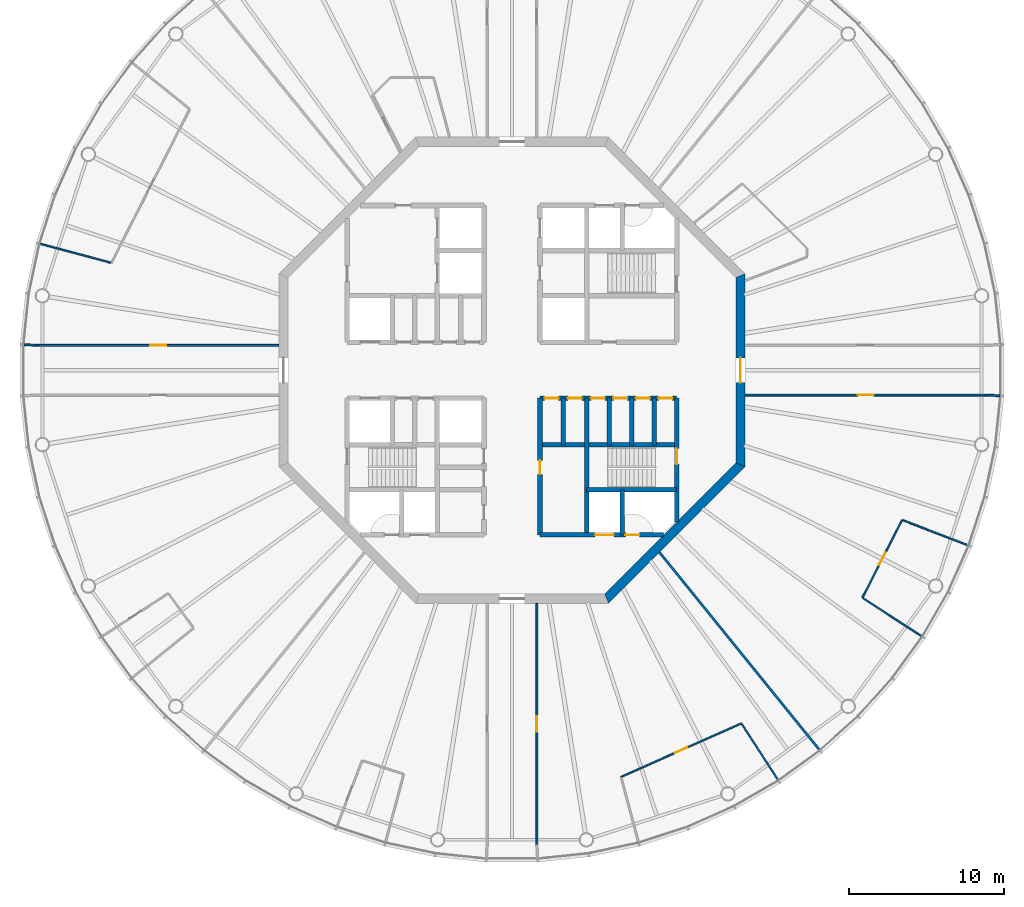
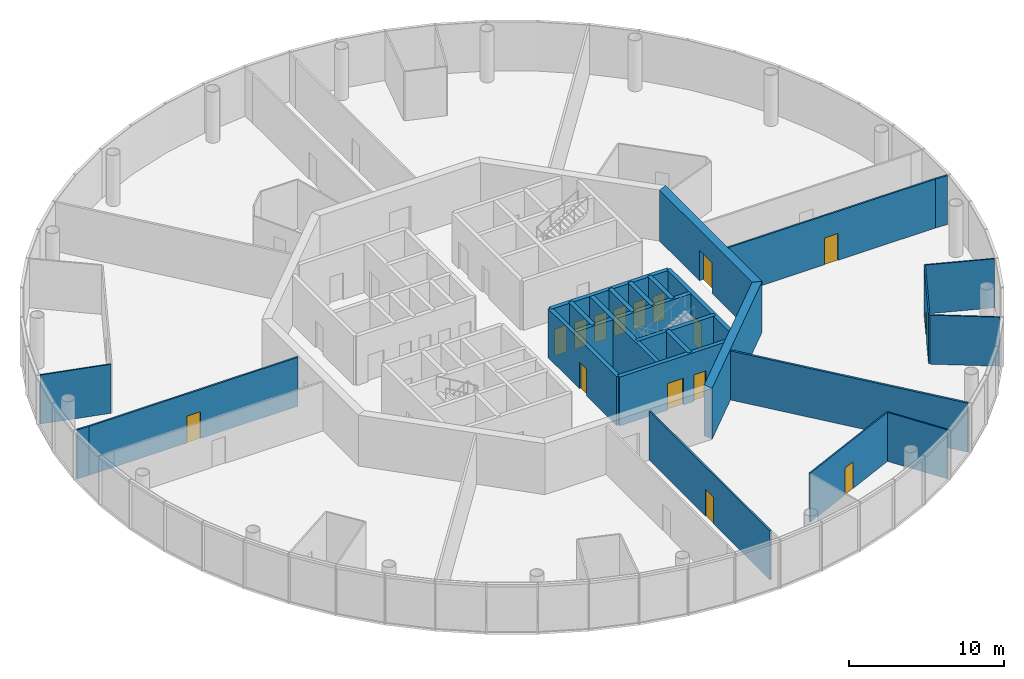
# One storey, part 4 of 13: 26 walls, 16 doors, 16 openings.
"""IFC4 building model written with IfcOpenShell, lengths in metres."""

from ifc_helpers import new_model, si_unit, direction, frame, frame_2d, origin, place, context, subcontext, project, spatial, polyline, rectangle, outline, extrude, material, layer, layer_set, type_object, element, fill, save


model = new_model("IFC4")

# Units and contexts
model_context = context("Model", 3, precision=1e-05, world=origin(), true_north=direction((0.0, 1.0)))
body_context = subcontext(model_context, "Body", "Model", "MODEL_VIEW")
ifc_project = project(units=[si_unit("LENGTHUNIT", "METRE"), si_unit("AREAUNIT", "SQUARE_METRE"), si_unit("VOLUMEUNIT", "CUBIC_METRE"), si_unit("PLANEANGLEUNIT", "RADIAN"), si_unit("MASSUNIT", "GRAM", prefix="KILO")], contexts=[model_context])

# Site, building, storey
site_placement = place(None, origin())
site = spatial("IfcSite", under=ifc_project, at=site_placement, CompositionType="ELEMENT")
building_placement = place(site_placement, origin())
building = spatial("IfcBuilding", under=site, at=building_placement, Name="Entoto Ring Tower", CompositionType="ELEMENT")
storey_placement = place(building_placement, frame((0.0, 0.0, 384.0)))
storey = spatial("IfcBuildingStorey", under=building, at=storey_placement, Name="L89", CompositionType="ELEMENT", Elevation=384.0)

# Wall, opening, door
ifc_material_1 = material(Name="Concrete C40/50", Category="concrete")
ifc_layer_1 = layer(ifc_material_1, 0.300048828125)
ifc_layer_set_1 = layer_set([ifc_layer_1], Name="Concrete C40/50")
wall_type_1 = type_object("IfcWallType", Name="Core enclosure wall 300 mm reinforced concrete", PredefinedType="SOLIDWALL", material=ifc_layer_set_1)
wall_1_placement = place(storey_placement, frame((100.60009765625, 70.2353515625, 0.0), z_axis=(0.0, 0.0, 1.0), x_axis=(0.0, 1.0, 0.0)))
wall_1 = element("IfcWall", 1, at=wall_1_placement, inside=storey, type_object=wall_type_1, Name="wall-L89-001", PredefinedType="SOLIDWALL", context=body_context, shape_type="SweptSolid", body=[
    extrude(rectangle(XDim=7.964599609375, YDim=0.300048828125, at=frame_2d((3.982421875, 0.0))), origin(), (0.0, 0.0, 1.0), 3.85009765625),
])
opening_1_placement = place(wall_1_placement, frame((3.714599609375, 0.0, 0.0)))
opening_1 = element("IfcOpeningElement", 2, at=opening_1_placement, cuts=wall_1, Name="Opening K-31", PredefinedType="OPENING", context=body_context, shape_type="SweptSolid", body=[
    extrude(rectangle(XDim=1.0, YDim=2.10009765625, at=frame_2d((0.5, 1.050048828125))), frame((0.0, 0.16015625, 0.0), z_axis=(0.0, -1.0, 0.0), x_axis=(1.0, 0.0, 0.0)), (0.0, 0.0, 1.0), 0.320068359375),
])
ifc_material_2 = material(Name="Steel door leaf, fire rated", Category="steel")
ifc_layer_2 = layer(ifc_material_2, 0.050048828125)
ifc_layer_set_2 = layer_set([ifc_layer_2], Name="Steel door leaf, fire rated")
door_type_1 = type_object("IfcDoorType", Name="Fire door FD60 1000 x 2100 single leaf", OperationType="NOTDEFINED", PredefinedType="DOOR", material=ifc_layer_set_2)
door_1_placement = place(opening_1_placement, origin())
door_1 = element("IfcDoor", 3, at=door_1_placement, inside=storey, type_object=door_type_1, Name="Door K-31", OperationType="SINGLE_SWING_RIGHT", OverallHeight=2.10009765625, OverallWidth=1.0, PredefinedType="DOOR", context=body_context, shape_type="SweptSolid", body=[
    extrude(rectangle(XDim=1.0, YDim=2.10009765625, at=frame_2d((0.5, 1.050048828125))), frame((0.0, 0.02490234375, 0.0), z_axis=(0.0, -1.0, 0.0), x_axis=(1.0, 0.0, 0.0)), (0.0, 0.0, 1.0), 0.050048828125),
])
fill(opening_1, door_1)

# Walls
for number, where, z_axis, x_axis, name in (
    (4, (99.14990234375, 75.199951171875, 0.0), (0.0, 0.0, 1.0), (0.0, 1.0, 0.0), "wall-L89-003"),
    (5, (97.699951171875, 75.199951171875, 0.0), (0.0, 0.0, 1.0), (0.0, 1.0, 0.0), "wall-L89-004"),
):
    element("IfcWall", number, at=place(storey_placement, frame(where, z_axis=z_axis, x_axis=x_axis)), inside=storey, type_object=wall_type_1, Name=name, PredefinedType="SOLIDWALL", context=body_context, shape_type="SweptSolid", body=[
        extrude(rectangle(XDim=3.0, YDim=0.300048828125, at=frame_2d((1.5, 0.0))), origin(), (0.0, 0.0, 1.0), 3.85009765625),
    ])
wall_2_placement = place(storey_placement, frame((97.10009765625, 69.39990234375, 0.0), z_axis=(0.0, 0.0, 1.0), x_axis=(0.0, 1.0, 0.0)))
element("IfcWall", 6, at=wall_2_placement, inside=storey, type_object=wall_type_1, Name="wall-L89-005", PredefinedType="SOLIDWALL", context=body_context, shape_type="SweptSolid", body=[
    extrude(rectangle(XDim=2.900146484375, YDim=0.300048828125, at=frame_2d((1.4501953125, 0.0))), origin(), (0.0, 0.0, 1.0), 3.85009765625),
])
wall_3_placement = place(storey_placement, frame((96.25, 75.199951171875, 0.0), z_axis=(0.0, 0.0, 1.0), x_axis=(0.0, 1.0, 0.0)))
element("IfcWall", 7, at=wall_3_placement, inside=storey, type_object=wall_type_1, Name="wall-L89-007", PredefinedType="SOLIDWALL", context=body_context, shape_type="SweptSolid", body=[
    extrude(rectangle(XDim=3.0, YDim=0.300048828125, at=frame_2d((1.5, 0.0))), origin(), (0.0, 0.0, 1.0), 3.85009765625),
])
wall_4_placement = place(storey_placement, frame((94.800048828125, 69.39990234375, 0.0), z_axis=(0.0, 0.0, 1.0), x_axis=(0.0, 1.0, 0.0)))
element("IfcWall", 8, at=wall_4_placement, inside=storey, type_object=wall_type_1, Name="wall-L89-008", PredefinedType="SOLIDWALL", context=body_context, shape_type="SweptSolid", body=[
    extrude(rectangle(XDim=8.800048828125, YDim=0.300048828125, at=frame_2d((4.39990234375, 0.0))), origin(), (0.0, 0.0, 1.0), 3.85009765625),
])
wall_5_placement = place(storey_placement, frame((93.300048828125, 75.199951171875, 0.0), z_axis=(0.0, 0.0, 1.0), x_axis=(0.0, 1.0, 0.0)))
element("IfcWall", 9, at=wall_5_placement, inside=storey, type_object=wall_type_1, Name="wall-L89-010", PredefinedType="SOLIDWALL", context=body_context, shape_type="SweptSolid", body=[
    extrude(rectangle(XDim=3.0, YDim=0.300048828125, at=frame_2d((1.5, 0.0))), origin(), (0.0, 0.0, 1.0), 3.85009765625),
])

# Wall, opening, door
wall_6_placement = place(storey_placement, frame((91.800048828125, 69.39990234375, 0.0), z_axis=(0.0, 0.0, 1.0), x_axis=(0.0, 1.0, 0.0)))
wall_6 = element("IfcWall", 10, at=wall_6_placement, inside=storey, type_object=wall_type_1, Name="wall-L89-011", PredefinedType="SOLIDWALL", context=body_context, shape_type="SweptSolid", body=[
    extrude(rectangle(XDim=8.800048828125, YDim=0.300048828125, at=frame_2d((4.39990234375, 0.0))), origin(), (0.0, 0.0, 1.0), 3.85009765625),
])
opening_2_placement = place(wall_6_placement, frame((3.89990234375, 0.0, 0.0)))
opening_2 = element("IfcOpeningElement", 11, at=opening_2_placement, cuts=wall_6, Name="Opening K-21", PredefinedType="OPENING", context=body_context, shape_type="SweptSolid", body=[
    extrude(rectangle(XDim=0.89990234375, YDim=2.10009765625, at=frame_2d((0.449951171875, 1.050048828125))), frame((0.0, 0.16015625, 0.0), z_axis=(0.0, -1.0, 0.0), x_axis=(1.0, 0.0, 0.0)), (0.0, 0.0, 1.0), 0.320068359375),
])
ifc_material_3 = material(Name="Steel door leaf, fire rated", Category="steel")
ifc_layer_3 = layer(ifc_material_3, 0.050048828125)
ifc_layer_set_3 = layer_set([ifc_layer_3], Name="Steel door leaf, fire rated")
door_type_2 = type_object("IfcDoorType", Name="Core door 900 x 2100 single leaf", OperationType="NOTDEFINED", PredefinedType="DOOR", material=ifc_layer_set_3)
door_2_placement = place(opening_2_placement, frame((0.89990234375, 0.0, 0.0), z_axis=(0.0, 0.0, 1.0), x_axis=(-1.0, 0.0, 0.0)))
door_2 = element("IfcDoor", 12, at=door_2_placement, inside=storey, type_object=door_type_2, Name="Door K-21", OperationType="SINGLE_SWING_LEFT", OverallHeight=2.10009765625, OverallWidth=0.89990234375, PredefinedType="DOOR", context=body_context, shape_type="SweptSolid", body=[
    extrude(rectangle(XDim=0.89990234375, YDim=2.10009765625, at=frame_2d((0.449951171875, 1.050048828125))), frame((0.0, 0.02490234375, 0.0), z_axis=(0.0, -1.0, 0.0), x_axis=(1.0, 0.0, 0.0)), (0.0, 0.0, 1.0), 0.050048828125),
])
fill(opening_2, door_2)

# Wall, openings, doors
wall_7_placement = place(storey_placement, frame((91.800048828125, 69.39990234375, 0.0), z_axis=(0.0, 0.0, 1.0), x_axis=(1.0, 0.0, 0.0)))
wall_7 = element("IfcWall", 13, at=wall_7_placement, inside=storey, type_object=wall_type_1, Name="wall-L89-026", PredefinedType="SOLIDWALL", context=body_context, shape_type="SweptSolid", body=[
    extrude(rectangle(XDim=7.964599609375, YDim=0.300048828125, at=frame_2d((3.982421875, 0.0))), origin(), (0.0, 0.0, 1.0), 3.85009765625),
])
opening_3_placement = place(wall_7_placement, frame((3.550048828125, 0.0, 0.0)))
opening_3 = element("IfcOpeningElement", 14, at=opening_3_placement, cuts=wall_7, Name="Opening LD", PredefinedType="OPENING", context=body_context, shape_type="SweptSolid", body=[
    extrude(rectangle(XDim=1.199951171875, YDim=2.10009765625, at=frame_2d((0.60009765625, 1.050048828125))), frame((0.0, 0.16015625, 0.0), z_axis=(0.0, -1.0, 0.0), x_axis=(1.0, 0.0, 0.0)), (0.0, 0.0, 1.0), 0.320068359375),
])
opening_4_placement = place(wall_7_placement, frame((5.5, 0.0, 0.0)))
opening_4 = element("IfcOpeningElement", 15, at=opening_4_placement, cuts=wall_7, Name="Opening K-34", PredefinedType="OPENING", context=body_context, shape_type="SweptSolid", body=[
    extrude(rectangle(XDim=0.89990234375, YDim=2.10009765625, at=frame_2d((0.449951171875, 1.050048828125))), frame((0.0, 0.16015625, 0.0), z_axis=(0.0, -1.0, 0.0), x_axis=(1.0, 0.0, 0.0)), (0.0, 0.0, 1.0), 0.320068359375),
])
ifc_material_4 = material(Name="Steel and glass door leaf", Category="steel")
ifc_layer_4 = layer(ifc_material_4, 0.050048828125)
ifc_layer_set_4 = layer_set([ifc_layer_4], Name="Steel and glass door leaf")
door_type_3 = type_object("IfcDoorType", Name="Landing door 1200 x 2100 sliding", OperationType="DOUBLE_DOOR_SLIDING", PredefinedType="DOOR", material=ifc_layer_set_4)
door_3_placement = place(opening_3_placement, origin())
door_3 = element("IfcDoor", 16, at=door_3_placement, inside=storey, type_object=door_type_3, Name="Landing door LB2-HR", OperationType="SLIDING_TO_RIGHT", OverallHeight=2.10009765625, OverallWidth=1.199951171875, PredefinedType="DOOR", context=body_context, shape_type="SweptSolid", body=[
    extrude(rectangle(XDim=1.199951171875, YDim=2.10009765625, at=frame_2d((0.60009765625, 1.050048828125))), frame((0.0, 0.02490234375, 0.0), z_axis=(0.0, -1.0, 0.0), x_axis=(1.0, 0.0, 0.0)), (0.0, 0.0, 1.0), 0.050048828125),
])
fill(opening_3, door_3)
ifc_material_5 = material(Name="Steel door leaf, fire rated", Category="steel")
ifc_layer_5 = layer(ifc_material_5, 0.050048828125)
ifc_layer_set_5 = layer_set([ifc_layer_5], Name="Steel door leaf, fire rated")
door_type_4 = type_object("IfcDoorType", Name="Riser door FD60 900 x 2100 single leaf", OperationType="NOTDEFINED", PredefinedType="DOOR", material=ifc_layer_set_5)
door_4_placement = place(opening_4_placement, origin())
door_4 = element("IfcDoor", 17, at=door_4_placement, inside=storey, type_object=door_type_4, Name="Door K-34", OperationType="SINGLE_SWING_LEFT", OverallHeight=2.10009765625, OverallWidth=0.89990234375, PredefinedType="DOOR", context=body_context, shape_type="SweptSolid", body=[
    extrude(rectangle(XDim=0.89990234375, YDim=2.10009765625, at=frame_2d((0.449951171875, 1.050048828125))), frame((0.0, 0.02490234375, 0.0), z_axis=(0.0, -1.0, 0.0), x_axis=(1.0, 0.0, 0.0)), (0.0, 0.0, 1.0), 0.050048828125),
])
fill(opening_4, door_4)

# Walls
wall_8_placement = place(storey_placement, frame((94.800048828125, 72.300048828125, 0.0), z_axis=(0.0, 0.0, 1.0), x_axis=(1.0, 0.0, 0.0)))
element("IfcWall", 18, at=wall_8_placement, inside=storey, type_object=wall_type_1, Name="wall-L89-028", PredefinedType="SOLIDWALL", context=body_context, shape_type="SweptSolid", body=[
    extrude(rectangle(XDim=5.800048828125, YDim=0.300048828125, at=frame_2d((2.89990234375, 0.0))), origin(), (0.0, 0.0, 1.0), 3.85009765625),
])
wall_9_placement = place(storey_placement, frame((91.800048828125, 75.199951171875, 0.0), z_axis=(0.0, 0.0, 1.0), x_axis=(1.0, 0.0, 0.0)))
element("IfcWall", 19, at=wall_9_placement, inside=storey, type_object=wall_type_1, Name="wall-L89-031", PredefinedType="SOLIDWALL", context=body_context, shape_type="SweptSolid", body=[
    extrude(rectangle(XDim=8.800048828125, YDim=0.300048828125, at=frame_2d((4.39990234375, 0.0))), origin(), (0.0, 0.0, 1.0), 3.85009765625),
])

# Wall, openings, doors
wall_10_placement = place(storey_placement, frame((91.800048828125, 78.199951171875, 0.0), z_axis=(0.0, 0.0, 1.0), x_axis=(1.0, 0.0, 0.0)))
wall_10 = element("IfcWall", 20, at=wall_10_placement, inside=storey, type_object=wall_type_1, Name="wall-L89-033", PredefinedType="SOLIDWALL", context=body_context, shape_type="SweptSolid", body=[
    extrude(rectangle(XDim=8.800048828125, YDim=0.300048828125, at=frame_2d((4.39990234375, 0.0))), origin(), (0.0, 0.0, 1.0), 3.85009765625),
])
opening_5_placement = place(wall_10_placement, frame((3.27490234375, 0.0, 0.0)))
opening_5 = element("IfcOpeningElement", 21, at=opening_5_placement, cuts=wall_10, Name="Opening K-14", PredefinedType="OPENING", context=body_context, shape_type="SweptSolid", body=[
    extrude(rectangle(XDim=0.89990234375, YDim=2.10009765625, at=frame_2d((0.449951171875, 1.050048828125))), frame((0.0, 0.16015625, 0.0), z_axis=(0.0, -1.0, 0.0), x_axis=(1.0, 0.0, 0.0)), (0.0, 0.0, 1.0), 0.320068359375),
])
opening_6_placement = place(wall_10_placement, frame((4.72509765625, 0.0, 0.0)))
opening_6 = element("IfcOpeningElement", 22, at=opening_6_placement, cuts=wall_10, Name="Opening K-15", PredefinedType="OPENING", context=body_context, shape_type="SweptSolid", body=[
    extrude(rectangle(XDim=0.89990234375, YDim=2.10009765625, at=frame_2d((0.449951171875, 1.050048828125))), frame((0.0, 0.16015625, 0.0), z_axis=(0.0, -1.0, 0.0), x_axis=(1.0, 0.0, 0.0)), (0.0, 0.0, 1.0), 0.320068359375),
])
opening_7_placement = place(wall_10_placement, frame((6.175048828125, 0.0, 0.0)))
opening_7 = element("IfcOpeningElement", 23, at=opening_7_placement, cuts=wall_10, Name="Opening K-16", PredefinedType="OPENING", context=body_context, shape_type="SweptSolid", body=[
    extrude(rectangle(XDim=0.89990234375, YDim=2.10009765625, at=frame_2d((0.449951171875, 1.050048828125))), frame((0.0, 0.16015625, 0.0), z_axis=(0.0, -1.0, 0.0), x_axis=(1.0, 0.0, 0.0)), (0.0, 0.0, 1.0), 0.320068359375),
])
opening_8_placement = place(wall_10_placement, frame((7.625, 0.0, 0.0)))
opening_8 = element("IfcOpeningElement", 24, at=opening_8_placement, cuts=wall_10, Name="Opening K-57", PredefinedType="OPENING", context=body_context, shape_type="SweptSolid", body=[
    extrude(rectangle(XDim=0.89990234375, YDim=2.10009765625, at=frame_2d((0.449951171875, 1.050048828125))), frame((0.0, 0.16015625, 0.0), z_axis=(0.0, -1.0, 0.0), x_axis=(1.0, 0.0, 0.0)), (0.0, 0.0, 1.0), 0.320068359375),
])
opening_9_placement = place(wall_10_placement, frame((0.300048828125, 0.0, 0.0)))
opening_9 = element("IfcOpeningElement", 25, at=opening_9_placement, cuts=wall_10, Name="Opening K-79", PredefinedType="OPENING", context=body_context, shape_type="SweptSolid", body=[
    extrude(rectangle(XDim=0.89990234375, YDim=2.10009765625, at=frame_2d((0.449951171875, 1.050048828125))), frame((0.0, 0.16015625, 0.0), z_axis=(0.0, -1.0, 0.0), x_axis=(1.0, 0.0, 0.0)), (0.0, 0.0, 1.0), 0.320068359375),
])
opening_10_placement = place(wall_10_placement, frame((1.800048828125, 0.0, 0.0)))
opening_10 = element("IfcOpeningElement", 26, at=opening_10_placement, cuts=wall_10, Name="Opening K-81", PredefinedType="OPENING", context=body_context, shape_type="SweptSolid", body=[
    extrude(rectangle(XDim=0.89990234375, YDim=2.10009765625, at=frame_2d((0.449951171875, 1.050048828125))), frame((0.0, 0.16015625, 0.0), z_axis=(0.0, -1.0, 0.0), x_axis=(1.0, 0.0, 0.0)), (0.0, 0.0, 1.0), 0.320068359375),
])
door_5_placement = place(opening_5_placement, frame((0.89990234375, 0.0, 0.0), z_axis=(0.0, 0.0, 1.0), x_axis=(-1.0, 0.0, 0.0)))
door_5 = element("IfcDoor", 27, at=door_5_placement, inside=storey, type_object=door_type_2, Name="Door K-14", OperationType="SINGLE_SWING_LEFT", OverallHeight=2.10009765625, OverallWidth=0.89990234375, PredefinedType="DOOR", context=body_context, shape_type="SweptSolid", body=[
    extrude(rectangle(XDim=0.89990234375, YDim=2.10009765625, at=frame_2d((0.449951171875, 1.050048828125))), frame((0.0, 0.02490234375, 0.0), z_axis=(0.0, -1.0, 0.0), x_axis=(1.0, 0.0, 0.0)), (0.0, 0.0, 1.0), 0.050048828125),
])
fill(opening_5, door_5)
door_6_placement = place(opening_6_placement, frame((0.89990234375, 0.0, 0.0), z_axis=(0.0, 0.0, 1.0), x_axis=(-1.0, 0.0, 0.0)))
door_6 = element("IfcDoor", 28, at=door_6_placement, inside=storey, type_object=door_type_2, Name="Door K-15", OperationType="SINGLE_SWING_RIGHT", OverallHeight=2.10009765625, OverallWidth=0.89990234375, PredefinedType="DOOR", context=body_context, shape_type="SweptSolid", body=[
    extrude(rectangle(XDim=0.89990234375, YDim=2.10009765625, at=frame_2d((0.449951171875, 1.050048828125))), frame((0.0, 0.02490234375, 0.0), z_axis=(0.0, -1.0, 0.0), x_axis=(1.0, 0.0, 0.0)), (0.0, 0.0, 1.0), 0.050048828125),
])
fill(opening_6, door_6)
door_7_placement = place(opening_7_placement, frame((0.89990234375, 0.0, 0.0), z_axis=(0.0, 0.0, 1.0), x_axis=(-1.0, 0.0, 0.0)))
door_7 = element("IfcDoor", 29, at=door_7_placement, inside=storey, type_object=door_type_2, Name="Door K-16", OperationType="SINGLE_SWING_RIGHT", OverallHeight=2.10009765625, OverallWidth=0.89990234375, PredefinedType="DOOR", context=body_context, shape_type="SweptSolid", body=[
    extrude(rectangle(XDim=0.89990234375, YDim=2.10009765625, at=frame_2d((0.449951171875, 1.050048828125))), frame((0.0, 0.02490234375, 0.0), z_axis=(0.0, -1.0, 0.0), x_axis=(1.0, 0.0, 0.0)), (0.0, 0.0, 1.0), 0.050048828125),
])
fill(opening_7, door_7)
door_8_placement = place(opening_8_placement, frame((0.89990234375, 0.0, 0.0), z_axis=(0.0, 0.0, 1.0), x_axis=(-1.0, 0.0, 0.0)))
door_8 = element("IfcDoor", 30, at=door_8_placement, inside=storey, type_object=door_type_2, Name="Door K-57", OperationType="SINGLE_SWING_RIGHT", OverallHeight=2.10009765625, OverallWidth=0.89990234375, PredefinedType="DOOR", context=body_context, shape_type="SweptSolid", body=[
    extrude(rectangle(XDim=0.89990234375, YDim=2.10009765625, at=frame_2d((0.449951171875, 1.050048828125))), frame((0.0, 0.02490234375, 0.0), z_axis=(0.0, -1.0, 0.0), x_axis=(1.0, 0.0, 0.0)), (0.0, 0.0, 1.0), 0.050048828125),
])
fill(opening_8, door_8)
door_9_placement = place(opening_9_placement, frame((0.89990234375, 0.0, 0.0), z_axis=(0.0, 0.0, 1.0), x_axis=(-1.0, 0.0, 0.0)))
door_9 = element("IfcDoor", 31, at=door_9_placement, inside=storey, type_object=door_type_2, Name="Door K-79", OperationType="SINGLE_SWING_RIGHT", OverallHeight=2.10009765625, OverallWidth=0.89990234375, PredefinedType="DOOR", context=body_context, shape_type="SweptSolid", body=[
    extrude(rectangle(XDim=0.89990234375, YDim=2.10009765625, at=frame_2d((0.449951171875, 1.050048828125))), frame((0.0, 0.02490234375, 0.0), z_axis=(0.0, -1.0, 0.0), x_axis=(1.0, 0.0, 0.0)), (0.0, 0.0, 1.0), 0.050048828125),
])
fill(opening_9, door_9)
door_10_placement = place(opening_10_placement, frame((0.89990234375, 0.0, 0.0), z_axis=(0.0, 0.0, 1.0), x_axis=(-1.0, 0.0, 0.0)))
door_10 = element("IfcDoor", 32, at=door_10_placement, inside=storey, type_object=door_type_2, Name="Door K-81", OperationType="SINGLE_SWING_RIGHT", OverallHeight=2.10009765625, OverallWidth=0.89990234375, PredefinedType="DOOR", context=body_context, shape_type="SweptSolid", body=[
    extrude(rectangle(XDim=0.89990234375, YDim=2.10009765625, at=frame_2d((0.449951171875, 1.050048828125))), frame((0.0, 0.02490234375, 0.0), z_axis=(0.0, -1.0, 0.0), x_axis=(1.0, 0.0, 0.0)), (0.0, 0.0, 1.0), 0.050048828125),
])
fill(opening_10, door_10)

# Wall, opening, door
ifc_material_6 = material(Name="Concrete C40/50", Category="concrete")
ifc_layer_6 = layer(ifc_material_6, 0.60009765625)
ifc_layer_set_6 = layer_set([ifc_layer_6], Name="Concrete C40/50")
wall_type_2 = type_object("IfcWallType", Name="Core shear wall 600 mm reinforced concrete C40/50", PredefinedType="SHEAR", material=ifc_layer_set_6)
wall_11_placement = place(storey_placement, frame((104.699951171875, 73.9111328125, 0.0), z_axis=(0.0, 0.0, 1.0), x_axis=(0.0, 1.0, 0.0)))
wall_11 = element("IfcWall", 33, at=wall_11_placement, inside=storey, type_object=wall_type_2, Name="wall-L89-core-0", PredefinedType="SHEAR", context=body_context, shape_type="SweptSolid", body=[
    extrude(outline(polyline([(-0.124267578125, -0.300048828125), (12.302001953125, -0.300048828125), (12.053466796875, 0.300048828125), (0.124267578125, 0.300048828125), (-0.124267578125, -0.300048828125)])), origin(), (0.0, 0.0, 1.0), 4.0),
])
opening_11_placement = place(wall_11_placement, frame((5.288818359375, 0.0, 0.0)))
opening_11 = element("IfcOpeningElement", 34, at=opening_11_placement, cuts=wall_11, Name="Opening K-01", PredefinedType="OPENING", context=body_context, shape_type="SweptSolid", body=[
    extrude(rectangle(XDim=1.60009765625, YDim=2.39990234375, at=frame_2d((0.800048828125, 1.199951171875))), frame((0.0, 0.31005859375, 0.0), z_axis=(0.0, -1.0, 0.0), x_axis=(1.0, 0.0, 0.0)), (0.0, 0.0, 1.0), 0.6201171875),
])
ifc_material_7 = material(Name="Steel door leaf, fire rated", Category="steel")
ifc_layer_7 = layer(ifc_material_7, 0.050048828125)
ifc_layer_set_7 = layer_set([ifc_layer_7], Name="Steel door leaf, fire rated")
door_type_5 = type_object("IfcDoorType", Name="Entrance door FD60 1600 x 2400 double leaf", OperationType="DOUBLE_DOOR_SINGLE_SWING", PredefinedType="DOOR", material=ifc_layer_set_7)
door_11_placement = place(opening_11_placement, origin())
door_11 = element("IfcDoor", 35, at=door_11_placement, inside=storey, type_object=door_type_5, Name="Entrance door K-01", OperationType="DOUBLE_DOOR_SINGLE_SWING", OverallHeight=2.39990234375, OverallWidth=1.60009765625, PredefinedType="DOOR", context=body_context, shape_type="SweptSolid", body=[
    extrude(rectangle(XDim=1.60009765625, YDim=2.39990234375, at=frame_2d((0.800048828125, 1.199951171875))), frame((0.0, 0.02490234375, 0.0), z_axis=(0.0, -1.0, 0.0), x_axis=(1.0, 0.0, 0.0)), (0.0, 0.0, 1.0), 0.050048828125),
])
fill(opening_11, door_11)

# Wall
wall_12_placement = place(storey_placement, frame((96.0888671875, 65.300048828125, 0.0), z_axis=(0.0, 0.0, 1.0), x_axis=(0.707106781187, 0.707106781187, 0.0)))
element("IfcWall", 36, at=wall_12_placement, inside=storey, type_object=wall_type_2, Name="wall-L89-core-7", PredefinedType="SHEAR", context=body_context, shape_type="SweptSolid", body=[
    extrude(outline(polyline([(-0.124267578125, -0.300048828125), (12.30224609375, -0.300048828125), (12.0537109375, 0.300048828125), (0.124267578125, 0.300048828125), (-0.124267578125, -0.300048828125)])), origin(), (0.0, 0.0, 1.0), 4.0),
])

# Wall, opening, door
ifc_material_8 = material(Name="Fire-resisting plasterboard on steel studs", Category="steel")
ifc_layer_8 = layer(ifc_material_8, 0.125)
ifc_layer_set_8 = layer_set([ifc_layer_8], Name="Fire-resisting plasterboard on steel studs")
wall_type_3 = type_object("IfcWallType", Name="Corridor wall 125 mm one-hour plasterboard on steel studs", PredefinedType="PARTITIONING", material=ifc_layer_set_8)
wall_13_placement = place(storey_placement, frame((59.47021484375, 81.60009765625, 0.0), z_axis=(0.0, 0.0, 1.0), x_axis=(1.0, 0.0, 0.0)))
wall_13 = element("IfcWall", 37, at=wall_13_placement, inside=storey, type_object=wall_type_3, Name="partition-L89-002", PredefinedType="PARTITIONING", context=body_context, shape_type="SweptSolid", body=[
    extrude(rectangle(XDim=15.52978515625, YDim=0.125, at=frame_2d((7.764892578125, 0.0))), origin(), (0.0, 0.0, 1.0), 3.85009765625),
])
opening_12_placement = place(wall_13_placement, frame((7.264892578125, 0.0, 0.0)))
opening_12 = element("IfcOpeningElement", 38, at=opening_12_placement, cuts=wall_13, Name="Opening A38-D07", PredefinedType="OPENING", context=body_context, shape_type="SweptSolid", body=[
    extrude(rectangle(XDim=1.0, YDim=2.10009765625, at=frame_2d((0.5, 1.050048828125))), frame((0.0, 0.072509765625, 0.0), z_axis=(0.0, -1.0, 0.0), x_axis=(1.0, 0.0, 0.0)), (0.0, 0.0, 1.0), 0.14501953125),
])
ifc_material_9 = material(Name="Fire-resisting timber door set", Category="wood")
door_type_6 = type_object("IfcDoorType", Name="Door 1000 x 2100 single leaf FD30S fire door", OperationType="NOTDEFINED", PredefinedType="DOOR", material=ifc_material_9)
door_12_placement = place(opening_12_placement, origin())
door_12 = element("IfcDoor", 39, at=door_12_placement, inside=storey, type_object=door_type_6, Name="Door A38-D07", OperationType="SINGLE_SWING_RIGHT", OverallHeight=2.10009765625, OverallWidth=1.0, PredefinedType="DOOR", context=body_context, shape_type="SweptSolid", body=[
    extrude(rectangle(XDim=1.0, YDim=2.10009765625, at=frame_2d((0.5, 1.050048828125))), frame((0.0, 0.02490234375, 0.0), z_axis=(0.0, -1.0, 0.0), x_axis=(1.0, 0.0, 0.0)), (0.0, 0.0, 1.0), 0.050048828125),
])
fill(opening_12, door_12)

wall_14_placement = place(storey_placement, frame((91.60009765625, 49.47021484375, 0.0), z_axis=(0.0, 0.0, 1.0), x_axis=(0.0, 1.0, 0.0)))
wall_14 = element("IfcWall", 40, at=wall_14_placement, inside=storey, type_object=wall_type_3, Name="partition-L89-005", PredefinedType="PARTITIONING", context=body_context, shape_type="SweptSolid", body=[
    extrude(rectangle(XDim=15.52978515625, YDim=0.125, at=frame_2d((7.764892578125, 0.0))), origin(), (0.0, 0.0, 1.0), 3.85009765625),
])
opening_13_placement = place(wall_14_placement, frame((7.264892578125, 0.0, 0.0)))
opening_13 = element("IfcOpeningElement", 41, at=opening_13_placement, cuts=wall_14, Name="Opening A38-D13", PredefinedType="OPENING", context=body_context, shape_type="SweptSolid", body=[
    extrude(rectangle(XDim=1.0, YDim=2.10009765625, at=frame_2d((0.5, 1.050048828125))), frame((0.0, 0.072509765625, 0.0), z_axis=(0.0, -1.0, 0.0), x_axis=(1.0, 0.0, 0.0)), (0.0, 0.0, 1.0), 0.14501953125),
])
door_13_placement = place(opening_13_placement, frame((1.0, 0.0, 0.0), z_axis=(0.0, 0.0, 1.0), x_axis=(-1.0, 0.0, 0.0)))
door_13 = element("IfcDoor", 42, at=door_13_placement, inside=storey, type_object=door_type_6, Name="Door A38-D13", OperationType="SINGLE_SWING_LEFT", OverallHeight=2.10009765625, OverallWidth=1.0, PredefinedType="DOOR", context=body_context, shape_type="SweptSolid", body=[
    extrude(rectangle(XDim=1.0, YDim=2.10009765625, at=frame_2d((0.5, 1.050048828125))), frame((0.0, 0.02490234375, 0.0), z_axis=(0.0, -1.0, 0.0), x_axis=(1.0, 0.0, 0.0)), (0.0, 0.0, 1.0), 0.050048828125),
])
fill(opening_13, door_13)

wall_15_placement = place(storey_placement, frame((105.0, 78.39990234375, 0.0), z_axis=(0.0, 0.0, 1.0), x_axis=(1.0, 0.0, 0.0)))
wall_15 = element("IfcWall", 43, at=wall_15_placement, inside=storey, type_object=wall_type_3, Name="partition-L89-007", PredefinedType="PARTITIONING", context=body_context, shape_type="SweptSolid", body=[
    extrude(rectangle(XDim=15.52978515625, YDim=0.125, at=frame_2d((7.764892578125, 0.0))), origin(), (0.0, 0.0, 1.0), 3.85009765625),
])
opening_14_placement = place(wall_15_placement, frame((7.264892578125, 0.0, 0.0)))
opening_14 = element("IfcOpeningElement", 44, at=opening_14_placement, cuts=wall_15, Name="Opening A38-D15", PredefinedType="OPENING", context=body_context, shape_type="SweptSolid", body=[
    extrude(rectangle(XDim=1.0, YDim=2.10009765625, at=frame_2d((0.5, 1.050048828125))), frame((0.0, 0.072509765625, 0.0), z_axis=(0.0, -1.0, 0.0), x_axis=(1.0, 0.0, 0.0)), (0.0, 0.0, 1.0), 0.14501953125),
])
door_14_placement = place(opening_14_placement, frame((1.0, 0.0, 0.0), z_axis=(0.0, 0.0, 1.0), x_axis=(-1.0, 0.0, 0.0)))
door_14 = element("IfcDoor", 45, at=door_14_placement, inside=storey, type_object=door_type_6, Name="Door A38-D15", OperationType="SINGLE_SWING_RIGHT", OverallHeight=2.10009765625, OverallWidth=1.0, PredefinedType="DOOR", context=body_context, shape_type="SweptSolid", body=[
    extrude(rectangle(XDim=1.0, YDim=2.10009765625, at=frame_2d((0.5, 1.050048828125))), frame((0.0, 0.02490234375, 0.0), z_axis=(0.0, -1.0, 0.0), x_axis=(1.0, 0.0, 0.0)), (0.0, 0.0, 1.0), 0.050048828125),
])
fill(opening_14, door_14)

# Walls
for number, where, z_axis, x_axis, name in (
    (46, (59.466796875, 81.60009765625, 0.0), (0.0, 0.0, 1.0), (-0.998620946423, 0.052499574911, 0.0), "partition-L89-010"),
    (47, (121.39697265625, 78.3544921875, 0.0), (0.0, 0.0, 1.0), (-0.998620946423, 0.052499574911, 0.0), "partition-L89-016"),
):
    element("IfcWall", number, at=place(storey_placement, frame(where, z_axis=z_axis, x_axis=x_axis)), inside=storey, type_object=wall_type_3, Name=name, PredefinedType="PARTITIONING", context=body_context, shape_type="SweptSolid", body=[
        extrude(rectangle(XDim=0.864990234375, YDim=0.125, at=frame_2d((0.4326171875, 0.0))), origin(), (0.0, 0.0, 1.0), 3.85009765625),
    ])

# Wall, opening, door
ifc_material_10 = material(Name="Plasterboard on steel studs", Category="steel")
ifc_layer_9 = layer(ifc_material_10, 0.10009765625)
ifc_layer_set_9 = layer_set([ifc_layer_9], Name="Plasterboard on steel studs")
wall_type_4 = type_object("IfcWallType", Name="Partition 100 mm plasterboard on steel studs", PredefinedType="PARTITIONING", material=ifc_layer_set_9)
wall_16_placement = place(storey_placement, frame((97.013916015625, 53.823486328125, 0.0), z_axis=(0.0, 0.0, 1.0), x_axis=(0.913553701123, 0.406718127411, 0.0)))
wall_16 = element("IfcWall", 48, at=wall_16_placement, inside=storey, type_object=wall_type_4, Name="partition-L89-022", PredefinedType="PARTITIONING", context=body_context, shape_type="SweptSolid", body=[
    extrude(rectangle(XDim=8.478759765625, YDim=0.10009765625, at=frame_2d((4.2392578125, 0.0))), origin(), (0.0, 0.0, 1.0), 3.85009765625),
])
opening_15_placement = place(wall_16_placement, frame((3.789306640625, 0.0, 0.0)))
opening_15 = element("IfcOpeningElement", 49, at=opening_15_placement, cuts=wall_16, Name="Opening A38-D14", PredefinedType="OPENING", context=body_context, shape_type="SweptSolid", body=[
    extrude(rectangle(XDim=0.89990234375, YDim=2.10009765625, at=frame_2d((0.449951171875, 1.050048828125))), frame((0.0, 0.06005859375, 0.0), z_axis=(0.0, -1.0, 0.0), x_axis=(1.0, 0.0, 0.0)), (0.0, 0.0, 1.0), 0.1201171875),
])
ifc_material_11 = material(Name="Veneered timber door leaf in timber frame", Category="wood")
door_type_7 = type_object("IfcDoorType", Name="Door 900 x 2100 single leaf timber veneer", OperationType="NOTDEFINED", PredefinedType="DOOR", material=ifc_material_11)
door_15_placement = place(opening_15_placement, frame((0.89990234375, 0.0, 0.0), z_axis=(0.0, 0.0, 1.0), x_axis=(-1.0, 0.0, 0.0)))
door_15 = element("IfcDoor", 50, at=door_15_placement, inside=storey, type_object=door_type_7, Name="Door A38-D14", OperationType="SINGLE_SWING_LEFT", OverallHeight=2.10009765625, OverallWidth=0.89990234375, PredefinedType="DOOR", context=body_context, shape_type="SweptSolid", body=[
    extrude(rectangle(XDim=0.89990234375, YDim=2.10009765625, at=frame_2d((0.449951171875, 1.050048828125))), frame((0.0, 0.02490234375, 0.0), z_axis=(0.0, -1.0, 0.0), x_axis=(1.0, 0.0, 0.0)), (0.0, 0.0, 1.0), 0.050048828125),
])
fill(opening_15, door_15)

wall_17_placement = place(storey_placement, frame((112.552001953125, 65.354736328125, 0.0), z_axis=(0.0, 0.0, 1.0), x_axis=(0.453975876418, 0.891013974992, 0.0)))
wall_17 = element("IfcWall", 51, at=wall_17_placement, inside=storey, type_object=wall_type_4, Name="partition-L89-024", PredefinedType="PARTITIONING", context=body_context, shape_type="SweptSolid", body=[
    extrude(rectangle(XDim=5.621337890625, YDim=0.10009765625, at=frame_2d((2.810546875, 0.0))), origin(), (0.0, 0.0, 1.0), 3.85009765625),
])
opening_16_placement = place(wall_17_placement, frame((2.36083984375, 0.0, 0.0)))
opening_16 = element("IfcOpeningElement", 52, at=opening_16_placement, cuts=wall_17, Name="Opening A38-D16", PredefinedType="OPENING", context=body_context, shape_type="SweptSolid", body=[
    extrude(rectangle(XDim=0.89990234375, YDim=2.10009765625, at=frame_2d((0.449951171875, 1.050048828125))), frame((0.0, 0.06005859375, 0.0), z_axis=(0.0, -1.0, 0.0), x_axis=(1.0, 0.0, 0.0)), (0.0, 0.0, 1.0), 0.1201171875),
])
door_16_placement = place(opening_16_placement, frame((0.89990234375, 0.0, 0.0), z_axis=(0.0, 0.0, 1.0), x_axis=(-1.0, 0.0, 0.0)))
door_16 = element("IfcDoor", 53, at=door_16_placement, inside=storey, type_object=door_type_7, Name="Door A38-D16", OperationType="SINGLE_SWING_LEFT", OverallHeight=2.10009765625, OverallWidth=0.89990234375, PredefinedType="DOOR", context=body_context, shape_type="SweptSolid", body=[
    extrude(rectangle(XDim=0.89990234375, YDim=2.10009765625, at=frame_2d((0.449951171875, 1.050048828125))), frame((0.0, 0.02490234375, 0.0), z_axis=(0.0, -1.0, 0.0), x_axis=(1.0, 0.0, 0.0)), (0.0, 0.0, 1.0), 0.050048828125),
])
fill(opening_16, door_16)

# Walls
wall_18_placement = place(storey_placement, frame((64.17236328125, 86.92041015625, 0.0), z_axis=(0.0, 0.0, 1.0), x_axis=(-0.965923943481, 0.258826071737, 0.0)))
element("IfcWall", 54, at=wall_18_placement, inside=storey, type_object=wall_type_4, Name="partition-L89-027", PredefinedType="PARTITIONING", context=body_context, shape_type="SweptSolid", body=[
    extrude(rectangle(XDim=4.701171875, YDim=0.10009765625, at=frame_2d((2.3505859375, 0.0))), origin(), (0.0, 0.0, 1.0), 3.85009765625),
])
wall_19_placement = place(storey_placement, frame((119.351806640625, 68.73291015625, 0.0), z_axis=(0.0, 0.0, 1.0), x_axis=(-0.933578905137, 0.358371912798, 0.0)))
element("IfcWall", 55, at=wall_19_placement, inside=storey, type_object=wall_type_4, Name="partition-L89-031", PredefinedType="PARTITIONING", context=body_context, shape_type="SweptSolid", body=[
    extrude(rectangle(XDim=4.500244140625, YDim=0.10009765625, at=frame_2d((2.25, 0.0))), origin(), (0.0, 0.0, 1.0), 3.85009765625),
])
wall_20_placement = place(storey_placement, frame((116.367919921875, 62.87646484375, 0.0), z_axis=(0.0, 0.0, 1.0), x_axis=(-0.838666637781, 0.54464508689, 0.0)))
element("IfcWall", 56, at=wall_20_placement, inside=storey, type_object=wall_type_4, Name="partition-L89-032", PredefinedType="PARTITIONING", context=body_context, shape_type="SweptSolid", body=[
    extrude(rectangle(XDim=4.50048828125, YDim=0.10009765625, at=frame_2d((2.250244140625, 0.0))), origin(), (0.0, 0.0, 1.0), 3.85009765625),
])
wall_21_placement = place(storey_placement, frame((107.12353515625, 53.632080078125, 0.0), z_axis=(0.0, 0.0, 1.0), x_axis=(-0.544628312583, 0.838677531077, 0.0)))
element("IfcWall", 57, at=wall_21_placement, inside=storey, type_object=wall_type_4, Name="partition-L89-035", PredefinedType="PARTITIONING", context=body_context, shape_type="SweptSolid", body=[
    extrude(rectangle(XDim=4.290771484375, YDim=0.10009765625, at=frame_2d((2.1455078125, 0.0))), origin(), (0.0, 0.0, 1.0), 3.85009765625),
])
ifc_material_12 = material(Name="Fire-resisting acoustic plasterboard on steel studs", Category="steel")
ifc_layer_10 = layer(ifc_material_12, 0.14990234375)
ifc_layer_set_10 = layer_set([ifc_layer_10], Name="Fire-resisting acoustic plasterboard on steel studs")
wall_type_5 = type_object("IfcWallType", Name="Party wall 150 mm one-hour acoustic plasterboard on steel studs", PredefinedType="PARTITIONING", material=ifc_layer_set_10)
wall_22_placement = place(storey_placement, frame((109.785888671875, 55.56640625, 0.0), z_axis=(0.0, 0.0, 1.0), x_axis=(-0.629323592667, 0.777143368827, 0.0)))
element("IfcWall", 58, at=wall_22_placement, inside=storey, type_object=wall_type_5, Name="partition-L89-020", PredefinedType="PARTITIONING", context=body_context, shape_type="SweptSolid", body=[
    extrude(rectangle(XDim=16.357666015625, YDim=0.14990234375, at=frame_2d((8.1787109375, 0.0))), origin(), (0.0, 0.0, 1.0), 3.85009765625),
])

save(model, "model.ifc")
